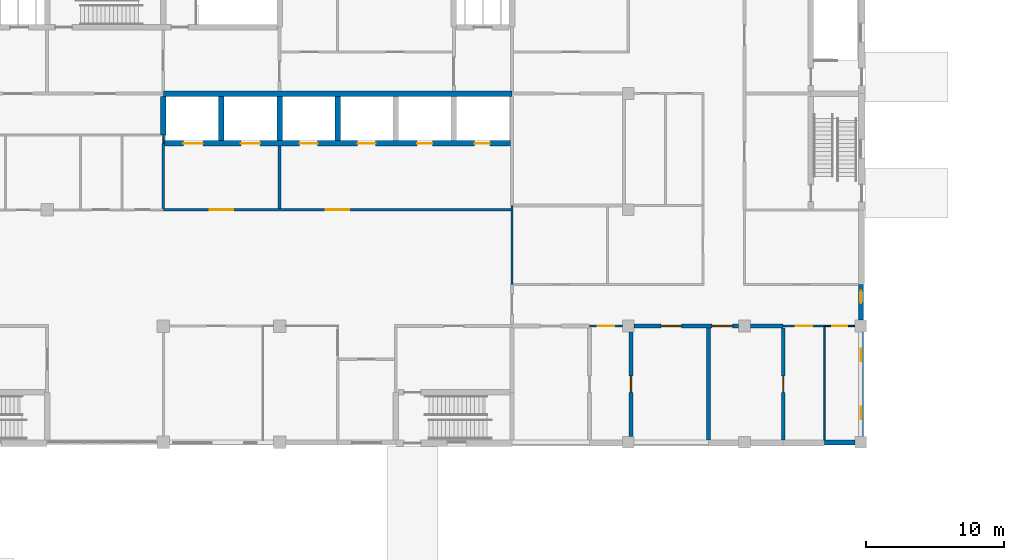
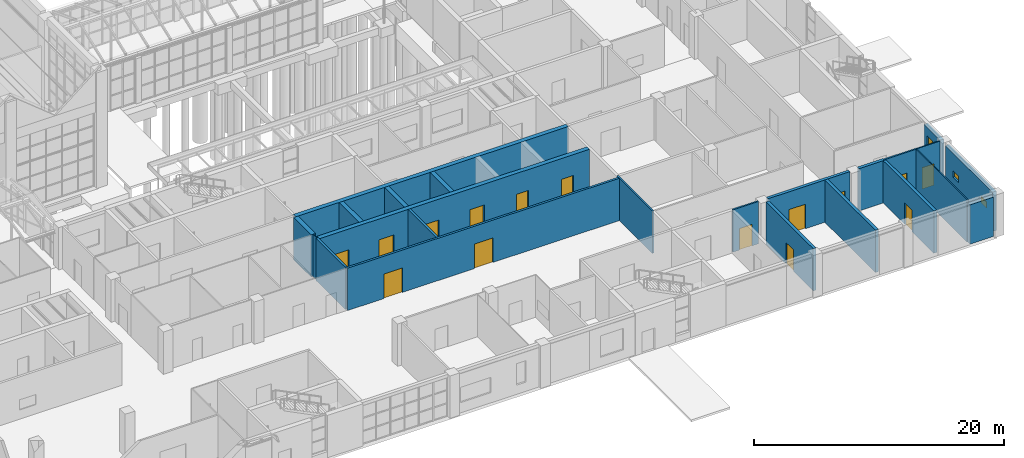
# One storey, part 113 of 138: 23 walls, 15 doors, 3 windows, 18 openings.
"""IFC4 building model written with IfcOpenShell, lengths in metres."""

from ifc_helpers import new_model, si_unit, direction, frame, frame_2d, origin, place, context, subcontext, project, spatial, rectangle, extrude, material, layer, layer_set, type_object, element, fill, save


model = new_model("IFC4")

# Units and contexts
model_context = context("Model", 3, precision=1e-05, world=origin(), true_north=direction((0.0, 1.0)))
body_context = subcontext(model_context, "Body", "Model", "MODEL_VIEW")
ifc_project = project(units=[si_unit("LENGTHUNIT", "METRE"), si_unit("AREAUNIT", "SQUARE_METRE"), si_unit("VOLUMEUNIT", "CUBIC_METRE"), si_unit("PLANEANGLEUNIT", "RADIAN"), si_unit("MASSUNIT", "GRAM", prefix="KILO")], contexts=[model_context])

# Site, building, storey
site_placement = place(None, origin())
site = spatial("IfcSite", under=ifc_project, at=site_placement, CompositionType="ELEMENT")
building_placement = place(site_placement, origin())
building = spatial("IfcBuilding", under=site, at=building_placement, Name="Yavir Park General Hospital", CompositionType="ELEMENT")
storey_placement = place(building_placement, origin())
storey = spatial("IfcBuildingStorey", under=building, at=storey_placement, Name="L00", CompositionType="ELEMENT", Elevation=0.0)

# Wall, openings, doors
ifc_material_1 = material(Name="Double gypsum board fire partition on steel studs", Category="steel")
ifc_layer_1 = layer(ifc_material_1, 0.199951171875)
ifc_layer_set_1 = layer_set([ifc_layer_1], Name="Double gypsum board fire partition on steel studs")
wall_type_1 = type_object("IfcWallType", Name="Fire-rated partition 200, EI 60", PredefinedType="PARTITIONING", material=ifc_layer_set_1)
wall_1_placement = place(storey_placement, frame((117.60009765625, 16.800048828125, 0.0), z_axis=(0.0, 0.0, 1.0), x_axis=(1.0, 0.0, 0.0)))
wall_1 = element("IfcWall", 1, at=wall_1_placement, inside=storey, type_object=wall_type_1, Name="FP20 L00-044", PredefinedType="PARTITIONING", context=body_context, shape_type="SweptSolid", body=[
    extrude(rectangle(XDim=25.125, YDim=0.199951171875, at=frame_2d((12.5625, 0.0))), origin(), (0.0, 0.0, 1.0), 4.139892578125),
])
opening_1_placement = place(wall_1_placement, frame((3.35009765625, 0.0, 0.0)))
opening_1 = element("IfcOpeningElement", 2, at=opening_1_placement, cuts=wall_1, Name="Opening L00.D042", PredefinedType="OPENING", context=body_context, shape_type="SweptSolid", body=[
    extrude(rectangle(XDim=1.699951171875, YDim=2.39990234375, at=frame_2d((0.85009765625, 1.199951171875))), frame((0.0, 0.10986328125, 0.0), z_axis=(0.0, -1.0, 0.0), x_axis=(1.0, 0.0, 0.0)), (0.0, 0.0, 1.0), 0.219970703125),
])
opening_2_placement = place(wall_1_placement, frame((11.75, 0.0, 0.0)))
opening_2 = element("IfcOpeningElement", 3, at=opening_2_placement, cuts=wall_1, Name="Opening L00.D043", PredefinedType="OPENING", context=body_context, shape_type="SweptSolid", body=[
    extrude(rectangle(XDim=1.699951171875, YDim=2.39990234375, at=frame_2d((0.85009765625, 1.199951171875))), frame((0.0, 0.10986328125, 0.0), z_axis=(0.0, -1.0, 0.0), x_axis=(1.0, 0.0, 0.0)), (0.0, 0.0, 1.0), 0.219970703125),
])
ifc_material_2 = material(Name="Steel frame, fire-resisting timber leaves", Category="steel")
door_type_1 = type_object("IfcDoorType", Name="Double fire door 1700 x 2400, EI 60", OperationType="DOUBLE_DOOR_SINGLE_SWING", PredefinedType="DOOR", material=ifc_material_2)
door_1_placement = place(opening_1_placement, origin())
door_1 = element("IfcDoor", 4, at=door_1_placement, inside=storey, type_object=door_type_1, Name="L00.D042", OperationType="SINGLE_SWING_RIGHT", OverallHeight=2.39990234375, OverallWidth=1.699951171875, PredefinedType="DOOR", context=body_context, shape_type="SweptSolid", body=[
    extrude(rectangle(XDim=1.699951171875, YDim=2.39990234375, at=frame_2d((0.85009765625, 1.199951171875))), frame((0.0, 0.02490234375, 0.0), z_axis=(0.0, -1.0, 0.0), x_axis=(1.0, 0.0, 0.0)), (0.0, 0.0, 1.0), 0.050048828125),
])
fill(opening_1, door_1)
door_2_placement = place(opening_2_placement, origin())
door_2 = element("IfcDoor", 5, at=door_2_placement, inside=storey, type_object=door_type_1, Name="L00.D043", OperationType="SINGLE_SWING_RIGHT", OverallHeight=2.39990234375, OverallWidth=1.699951171875, PredefinedType="DOOR", context=body_context, shape_type="SweptSolid", body=[
    extrude(rectangle(XDim=1.699951171875, YDim=2.39990234375, at=frame_2d((0.85009765625, 1.199951171875))), frame((0.0, 0.02490234375, 0.0), z_axis=(0.0, -1.0, 0.0), x_axis=(1.0, 0.0, 0.0)), (0.0, 0.0, 1.0), 0.050048828125),
])
fill(opening_2, door_2)

# Walls
wall_2_placement = place(storey_placement, frame((117.60009765625, 16.89990234375, 0.0), z_axis=(0.0, 0.0, 1.0), x_axis=(0.0, 1.0, 0.0)))
element("IfcWall", 6, at=wall_2_placement, inside=storey, type_object=wall_type_1, Name="FP20 L00-439", PredefinedType="PARTITIONING", context=body_context, shape_type="SweptSolid", body=[
    extrude(rectangle(XDim=4.7001953125, YDim=0.199951171875, at=frame_2d((2.35009765625, 0.0))), origin(), (0.0, 0.0, 1.0), 4.139892578125),
])
wall_3_placement = place(storey_placement, frame((126.0, 16.89990234375, 0.0), z_axis=(0.0, 0.0, 1.0), x_axis=(0.0, 1.0, 0.0)))
element("IfcWall", 7, at=wall_3_placement, inside=storey, type_object=wall_type_1, Name="FP20 L00-446", PredefinedType="PARTITIONING", context=body_context, shape_type="SweptSolid", body=[
    extrude(rectangle(XDim=4.5, YDim=0.199951171875, at=frame_2d((2.25, 0.0))), origin(), (0.0, 0.0, 1.0), 4.139892578125),
])

# Wall, opening, door
ifc_material_3 = material(Name="Gypsum board partition on steel studs", Category="steel")
ifc_layer_2 = layer(ifc_material_3, 0.10009765625)
ifc_layer_set_2 = layer_set([ifc_layer_2], Name="Gypsum board partition on steel studs")
wall_type_2 = type_object("IfcWallType", Name="Gypsum board partition 100", PredefinedType="PARTITIONING", material=ifc_layer_set_2)
wall_4_placement = place(storey_placement, frame((165.39990234375, 8.39990234375, 0.0), z_axis=(0.0, 0.0, 1.0), x_axis=(1.0, 0.0, 0.0)))
wall_4 = element("IfcWall", 8, at=wall_4_placement, inside=storey, type_object=wall_type_2, Name="P10 L00-022", PredefinedType="PARTITIONING", context=body_context, shape_type="SweptSolid", body=[
    extrude(rectangle(XDim=2.175048828125, YDim=0.10009765625, at=frame_2d((1.08740234375, 0.0))), origin(), (0.0, 0.0, 1.0), 4.139892578125),
])
opening_3_placement = place(wall_4_placement, frame((0.53759765625, 0.0, 0.0)))
opening_3 = element("IfcOpeningElement", 9, at=opening_3_placement, cuts=wall_4, Name="Opening L00.D020", PredefinedType="OPENING", context=body_context, shape_type="SweptSolid", body=[
    extrude(rectangle(XDim=1.10009765625, YDim=2.10009765625, at=frame_2d((0.550048828125, 1.050048828125))), frame((0.0, 0.06005859375, 0.0), z_axis=(0.0, -1.0, 0.0), x_axis=(1.0, 0.0, 0.0)), (0.0, 0.0, 1.0), 0.1201171875),
])
ifc_material_4 = material(Name="Hollow metal frame, solid-core timber leaf", Category="wood")
door_type_2 = type_object("IfcDoorType", Name="Single swing door 1100 x 2100", OperationType="SINGLE_SWING_LEFT", PredefinedType="DOOR", material=ifc_material_4)
door_3_placement = place(opening_3_placement, origin())
door_3 = element("IfcDoor", 10, at=door_3_placement, inside=storey, type_object=door_type_2, Name="L00.D020", OperationType="SINGLE_SWING_LEFT", OverallHeight=2.10009765625, OverallWidth=1.10009765625, PredefinedType="DOOR", context=body_context, shape_type="SweptSolid", body=[
    extrude(rectangle(XDim=1.10009765625, YDim=2.10009765625, at=frame_2d((0.550048828125, 1.050048828125))), frame((0.0, 0.02490234375, 0.0), z_axis=(0.0, -1.0, 0.0), x_axis=(1.0, 0.0, 0.0)), (0.0, 0.0, 1.0), 0.050048828125),
])
fill(opening_3, door_3)

# Walls
wall_5_placement = place(storey_placement, frame((117.60009765625, 21.60009765625, 0.0), z_axis=(0.0, 0.0, 1.0), x_axis=(0.0, 1.0, 0.0)))
element("IfcWall", 11, at=wall_5_placement, inside=storey, type_object=wall_type_2, Name="P10 L00-440", PredefinedType="PARTITIONING", context=body_context, shape_type="SweptSolid", body=[
    extrude(rectangle(XDim=0.599853515625, YDim=0.10009765625, at=frame_2d((0.2998046875, 0.0))), origin(), (0.0, 0.0, 1.0), 4.139892578125),
])
wall_6_placement = place(storey_placement, frame((165.39990234375, 0.14990234375, 0.0), z_axis=(0.0, 0.0, 1.0), x_axis=(0.0, 1.0, 0.0)))
element("IfcWall", 12, at=wall_6_placement, inside=storey, type_object=wall_type_2, Name="P10 L00-532", PredefinedType="PARTITIONING", context=body_context, shape_type="SweptSolid", body=[
    extrude(rectangle(XDim=8.175048828125, YDim=0.10009765625, at=frame_2d((4.08740234375, 0.0))), origin(), (0.0, 0.0, 1.0), 4.139892578125),
])

# Wall, opening, door
ifc_material_5 = material(Name="Gypsum board partition on steel studs", Category="steel")
ifc_layer_3 = layer(ifc_material_5, 0.14990234375)
ifc_layer_set_3 = layer_set([ifc_layer_3], Name="Gypsum board partition on steel studs")
wall_type_3 = type_object("IfcWallType", Name="Gypsum board partition 150", PredefinedType="PARTITIONING", material=ifc_layer_set_3)
wall_7_placement = place(storey_placement, frame((148.39990234375, 8.39990234375, 0.0), z_axis=(0.0, 0.0, 1.0), x_axis=(1.0, 0.0, 0.0)))
wall_7 = element("IfcWall", 13, at=wall_7_placement, inside=storey, type_object=wall_type_3, Name="P15 L00-018", PredefinedType="PARTITIONING", context=body_context, shape_type="SweptSolid", body=[
    extrude(rectangle(XDim=2.375, YDim=0.14990234375, at=frame_2d((1.1875, 0.0))), origin(), (0.0, 0.0, 1.0), 4.139892578125),
])
opening_4_placement = place(wall_7_placement, frame((0.58740234375, 0.0, 0.0)))
opening_4 = element("IfcOpeningElement", 14, at=opening_4_placement, cuts=wall_7, Name="Opening L00.D016", PredefinedType="OPENING", context=body_context, shape_type="SweptSolid", body=[
    extrude(rectangle(XDim=1.199951171875, YDim=2.10009765625, at=frame_2d((0.60009765625, 1.050048828125))), frame((0.0, 0.0849609375, 0.0), z_axis=(0.0, -1.0, 0.0), x_axis=(1.0, 0.0, 0.0)), (0.0, 0.0, 1.0), 0.169921875),
])
ifc_material_6 = material(Name="Hollow metal frame, solid-core timber leaf", Category="wood")
door_type_3 = type_object("IfcDoorType", Name="Single swing door 1200 x 2100", OperationType="SINGLE_SWING_LEFT", PredefinedType="DOOR", material=ifc_material_6)
door_4_placement = place(opening_4_placement, origin())
door_4 = element("IfcDoor", 15, at=door_4_placement, inside=storey, type_object=door_type_3, Name="L00.D016", OperationType="SINGLE_SWING_LEFT", OverallHeight=2.10009765625, OverallWidth=1.199951171875, PredefinedType="DOOR", context=body_context, shape_type="SweptSolid", body=[
    extrude(rectangle(XDim=1.199951171875, YDim=2.10009765625, at=frame_2d((0.60009765625, 1.050048828125))), frame((0.0, 0.02490234375, 0.0), z_axis=(0.0, -1.0, 0.0), x_axis=(1.0, 0.0, 0.0)), (0.0, 0.0, 1.0), 0.050048828125),
])
fill(opening_4, door_4)

wall_8_placement = place(storey_placement, frame((162.39990234375, 8.39990234375, 0.0), z_axis=(0.0, 0.0, 1.0), x_axis=(1.0, 0.0, 0.0)))
wall_8 = element("IfcWall", 16, at=wall_8_placement, inside=storey, type_object=wall_type_3, Name="P15 L00-021", PredefinedType="PARTITIONING", context=body_context, shape_type="SweptSolid", body=[
    extrude(rectangle(XDim=3.0, YDim=0.14990234375, at=frame_2d((1.5, 0.0))), origin(), (0.0, 0.0, 1.0), 4.139892578125),
])
opening_5_placement = place(wall_8_placement, frame((0.89990234375, 0.0, 0.0)))
opening_5 = element("IfcOpeningElement", 17, at=opening_5_placement, cuts=wall_8, Name="Opening L00.D019", PredefinedType="OPENING", context=body_context, shape_type="SweptSolid", body=[
    extrude(rectangle(XDim=1.199951171875, YDim=2.10009765625, at=frame_2d((0.60009765625, 1.050048828125))), frame((0.0, 0.0849609375, 0.0), z_axis=(0.0, -1.0, 0.0), x_axis=(1.0, 0.0, 0.0)), (0.0, 0.0, 1.0), 0.169921875),
])
door_5_placement = place(opening_5_placement, origin())
door_5 = element("IfcDoor", 18, at=door_5_placement, inside=storey, type_object=door_type_3, Name="L00.D019", OperationType="SINGLE_SWING_RIGHT", OverallHeight=2.10009765625, OverallWidth=1.199951171875, PredefinedType="DOOR", context=body_context, shape_type="SweptSolid", body=[
    extrude(rectangle(XDim=1.199951171875, YDim=2.10009765625, at=frame_2d((0.60009765625, 1.050048828125))), frame((0.0, 0.02490234375, 0.0), z_axis=(0.0, -1.0, 0.0), x_axis=(1.0, 0.0, 0.0)), (0.0, 0.0, 1.0), 0.050048828125),
])
fill(opening_5, door_5)

# Wall
ifc_material_7 = material(Name="Lead-lined gypsum board shielding partition")
ifc_layer_4 = layer(ifc_material_7, 0.14990234375)
ifc_layer_set_4 = layer_set([ifc_layer_4], Name="Lead-lined gypsum board shielding partition")
wall_type_4 = type_object("IfcWallType", Name="Lead-lined shielding partition 150, EI 60", PredefinedType="PARTITIONING", material=ifc_layer_set_4)
wall_9_placement = place(storey_placement, frame((142.800048828125, 11.39990234375, 0.0), z_axis=(0.0, 0.0, 1.0), x_axis=(0.0, 1.0, 0.0)))
element("IfcWall", 19, at=wall_9_placement, inside=storey, type_object=wall_type_4, Name="LL150 L00-463", PredefinedType="PARTITIONING", context=body_context, shape_type="SweptSolid", body=[
    extrude(rectangle(XDim=5.7001953125, YDim=0.14990234375, at=frame_2d((2.85009765625, 0.0))), origin(), (0.0, 0.0, 1.0), 4.139892578125),
])

# Wall, openings, doors
ifc_material_8 = material(Name="Lead-lined block wall, 3 mm lead sheet, RF-sealed")
ifc_layer_5 = layer(ifc_material_8, 0.27490234375)
ifc_layer_set_5 = layer_set([ifc_layer_5], Name="Lead-lined block wall, 3 mm lead sheet, RF-sealed")
wall_type_5 = type_object("IfcWallType", Name="Lead-lined shielding wall 275, EI 60", PredefinedType="SOLIDWALL", material=ifc_layer_set_5)
wall_10_placement = place(storey_placement, frame((151.625, 8.39990234375, 0.0), z_axis=(0.0, 0.0, 1.0), x_axis=(1.0, 0.0, 0.0)))
wall_10 = element("IfcWall", 20, at=wall_10_placement, inside=storey, type_object=wall_type_5, Name="LC275 L00-019", PredefinedType="SOLIDWALL", context=body_context, shape_type="SweptSolid", body=[
    extrude(rectangle(XDim=7.550048828125, YDim=0.27490234375, at=frame_2d((3.77490234375, 0.0))), origin(), (0.0, 0.0, 1.0), 4.139892578125),
])
opening_6_placement = place(wall_10_placement, frame((1.9375, 0.0, 0.0)))
opening_6 = element("IfcOpeningElement", 21, at=opening_6_placement, cuts=wall_10, Name="Opening L00.D017", PredefinedType="OPENING", context=body_context, shape_type="SweptSolid", body=[
    extrude(rectangle(XDim=1.5, YDim=2.39990234375, at=frame_2d((0.75, 1.199951171875))), frame((0.0, 0.1474609375, 0.0), z_axis=(0.0, -1.0, 0.0), x_axis=(1.0, 0.0, 0.0)), (0.0, 0.0, 1.0), 0.294921875),
])
opening_7_placement = place(wall_10_placement, frame((5.612548828125, 0.0, 0.0)))
opening_7 = element("IfcOpeningElement", 22, at=opening_7_placement, cuts=wall_10, Name="Opening L00.D018", PredefinedType="OPENING", context=body_context, shape_type="SweptSolid", body=[
    extrude(rectangle(XDim=1.5, YDim=2.39990234375, at=frame_2d((0.75, 1.199951171875))), frame((0.0, 0.1474609375, 0.0), z_axis=(0.0, -1.0, 0.0), x_axis=(1.0, 0.0, 0.0)), (0.0, 0.0, 1.0), 0.294921875),
])
ifc_material_9 = material(Name="Lead-lined steel leaves, 3 mm lead, RF-sealed frame", Category="steel")
door_type_4 = type_object("IfcDoorType", Name="Lead-lined scanner room door 1500 x 2400, EI 60", OperationType="DOUBLE_DOOR_SINGLE_SWING", PredefinedType="DOOR", material=ifc_material_9)
door_6_placement = place(opening_6_placement, origin())
door_6 = element("IfcDoor", 23, at=door_6_placement, inside=storey, type_object=door_type_4, Name="L00.D017", OperationType="SINGLE_SWING_RIGHT", OverallHeight=2.39990234375, OverallWidth=1.5, PredefinedType="DOOR", context=body_context, shape_type="SweptSolid", body=[
    extrude(rectangle(XDim=1.5, YDim=2.39990234375, at=frame_2d((0.75, 1.199951171875))), frame((0.0, 0.044921875, 0.0), z_axis=(0.0, -1.0, 0.0), x_axis=(1.0, 0.0, 0.0)), (0.0, 0.0, 1.0), 0.090087890625),
])
fill(opening_6, door_6)
door_7_placement = place(opening_7_placement, origin())
door_7 = element("IfcDoor", 24, at=door_7_placement, inside=storey, type_object=door_type_4, Name="L00.D018", OperationType="SINGLE_SWING_LEFT", OverallHeight=2.39990234375, OverallWidth=1.5, PredefinedType="DOOR", context=body_context, shape_type="SweptSolid", body=[
    extrude(rectangle(XDim=1.5, YDim=2.39990234375, at=frame_2d((0.75, 1.199951171875))), frame((0.0, 0.044921875, 0.0), z_axis=(0.0, -1.0, 0.0), x_axis=(1.0, 0.0, 0.0)), (0.0, 0.0, 1.0), 0.090087890625),
])
fill(opening_7, door_7)

# Wall
wall_11_placement = place(storey_placement, frame((160.02490234375, 8.39990234375, 0.0), z_axis=(0.0, 0.0, 1.0), x_axis=(1.0, 0.0, 0.0)))
element("IfcWall", 25, at=wall_11_placement, inside=storey, type_object=wall_type_5, Name="LC275 L00-020", PredefinedType="SOLIDWALL", context=body_context, shape_type="SweptSolid", body=[
    extrude(rectangle(XDim=2.375, YDim=0.27490234375, at=frame_2d((1.1875, 0.0))), origin(), (0.0, 0.0, 1.0), 4.139892578125),
])

# Wall, opening, door
wall_12_placement = place(storey_placement, frame((151.39990234375, 0.425048828125, 0.0), z_axis=(0.0, 0.0, 1.0), x_axis=(0.0, 1.0, 0.0)))
wall_12 = element("IfcWall", 26, at=wall_12_placement, inside=storey, type_object=wall_type_5, Name="LC275 L00-495", PredefinedType="SOLIDWALL", context=body_context, shape_type="SweptSolid", body=[
    extrude(rectangle(XDim=7.550048828125, YDim=0.27490234375, at=frame_2d((3.77490234375, 0.0))), origin(), (0.0, 0.0, 1.0), 4.139892578125),
])
opening_8_placement = place(wall_12_placement, frame((3.175048828125, 0.0, 0.0)))
opening_8 = element("IfcOpeningElement", 27, at=opening_8_placement, cuts=wall_12, Name="Opening L00.D230", PredefinedType="OPENING", context=body_context, shape_type="SweptSolid", body=[
    extrude(rectangle(XDim=1.199951171875, YDim=2.10009765625, at=frame_2d((0.60009765625, 1.050048828125))), frame((0.0, 0.1474609375, 0.0), z_axis=(0.0, -1.0, 0.0), x_axis=(1.0, 0.0, 0.0)), (0.0, 0.0, 1.0), 0.294921875),
])
ifc_material_10 = material(Name="Lead-lined steel door leaf, 2.5 mm lead", Category="steel")
door_type_5 = type_object("IfcDoorType", Name="Lead-lined door 1200 x 2100, EI 60", OperationType="SINGLE_SWING_LEFT", PredefinedType="DOOR", material=ifc_material_10)
door_8_placement = place(opening_8_placement, origin())
door_8 = element("IfcDoor", 28, at=door_8_placement, inside=storey, type_object=door_type_5, Name="L00.D230", OperationType="SINGLE_SWING_LEFT", OverallHeight=2.10009765625, OverallWidth=1.199951171875, PredefinedType="DOOR", context=body_context, shape_type="SweptSolid", body=[
    extrude(rectangle(XDim=1.199951171875, YDim=2.10009765625, at=frame_2d((0.60009765625, 1.050048828125))), frame((0.0, 0.0400390625, 0.0), z_axis=(0.0, -1.0, 0.0), x_axis=(1.0, 0.0, 0.0)), (0.0, 0.0, 1.0), 0.080078125),
])
fill(opening_8, door_8)

# Wall
wall_13_placement = place(storey_placement, frame((157.0, 0.14990234375, 0.0), z_axis=(0.0, 0.0, 1.0), x_axis=(0.0, 1.0, 0.0)))
element("IfcWall", 29, at=wall_13_placement, inside=storey, type_object=wall_type_5, Name="LC275 L00-499", PredefinedType="SOLIDWALL", context=body_context, shape_type="SweptSolid", body=[
    extrude(rectangle(XDim=8.112548828125, YDim=0.27490234375, at=frame_2d((4.05615234375, 0.0))), origin(), (0.0, 0.0, 1.0), 4.139892578125),
])

# Wall, opening, door
wall_14_placement = place(storey_placement, frame((162.39990234375, 0.14990234375, 0.0), z_axis=(0.0, 0.0, 1.0), x_axis=(0.0, 1.0, 0.0)))
wall_14 = element("IfcWall", 30, at=wall_14_placement, inside=storey, type_object=wall_type_5, Name="LC275 L00-526", PredefinedType="SOLIDWALL", context=body_context, shape_type="SweptSolid", body=[
    extrude(rectangle(XDim=8.112548828125, YDim=0.27490234375, at=frame_2d((4.05615234375, 0.0))), origin(), (0.0, 0.0, 1.0), 4.139892578125),
])
opening_9_placement = place(wall_14_placement, frame((3.456298828125, 0.0, 0.0)))
opening_9 = element("IfcOpeningElement", 31, at=opening_9_placement, cuts=wall_14, Name="Opening L00.D247", PredefinedType="OPENING", context=body_context, shape_type="SweptSolid", body=[
    extrude(rectangle(XDim=1.199951171875, YDim=2.10009765625, at=frame_2d((0.60009765625, 1.050048828125))), frame((0.0, 0.1474609375, 0.0), z_axis=(0.0, -1.0, 0.0), x_axis=(1.0, 0.0, 0.0)), (0.0, 0.0, 1.0), 0.294921875),
])
door_9_placement = place(opening_9_placement, origin())
door_9 = element("IfcDoor", 32, at=door_9_placement, inside=storey, type_object=door_type_5, Name="L00.D247", OperationType="SINGLE_SWING_RIGHT", OverallHeight=2.10009765625, OverallWidth=1.199951171875, PredefinedType="DOOR", context=body_context, shape_type="SweptSolid", body=[
    extrude(rectangle(XDim=1.199951171875, YDim=2.10009765625, at=frame_2d((0.60009765625, 1.050048828125))), frame((0.0, 0.0400390625, 0.0), z_axis=(0.0, -1.0, 0.0), x_axis=(1.0, 0.0, 0.0)), (0.0, 0.0, 1.0), 0.080078125),
])
fill(opening_9, door_9)

# Wall
ifc_material_11 = material(Name="Concrete C30/37 precast panel with 120 mm mineral wool insulation", Category="concrete")
ifc_layer_6 = layer(ifc_material_11, 0.35009765625)
ifc_layer_set_6 = layer_set([ifc_layer_6], Name="Concrete C30/37 precast panel with 120 mm mineral wool insulation")
wall_type_6 = type_object("IfcWallType", Name="Precast cladding panel podium wall 350, E 30", PredefinedType="SOLIDWALL", material=ifc_layer_set_6)
wall_15_placement = place(storey_placement, frame((165.39990234375, -0.02490234375, 0.0), z_axis=(0.0, 0.0, 1.0), x_axis=(1.0, 0.0, 0.0)))
element("IfcWall", 33, at=wall_15_placement, inside=storey, type_object=wall_type_6, Name="XW2 L00-031", PredefinedType="SOLIDWALL", context=body_context, shape_type="SweptSolid", body=[
    extrude(rectangle(XDim=2.175048828125, YDim=0.35009765625, at=frame_2d((1.08740234375, 0.0))), origin(), (0.0, 0.0, 1.0), 3.840087890625),
])

# Wall, openings, windows
wall_16_placement = place(storey_placement, frame((168.02490234375, 0.425048828125, 0.0), z_axis=(0.0, 0.0, 1.0), x_axis=(0.0, 1.0, 0.0)))
wall_16 = element("IfcWall", 34, at=wall_16_placement, inside=storey, type_object=wall_type_6, Name="XW2 L00-171", PredefinedType="SOLIDWALL", context=body_context, shape_type="SweptSolid", body=[
    extrude(rectangle(XDim=7.550048828125, YDim=0.35009765625, at=frame_2d((3.77490234375, 0.0))), origin(), (0.0, 0.0, 1.0), 3.840087890625),
])
opening_10_placement = place(wall_16_placement, frame((1.22509765625, 0.0, 1.5)))
opening_10 = element("IfcOpeningElement", 35, at=opening_10_placement, cuts=wall_16, Name="Opening WE", PredefinedType="OPENING", context=body_context, shape_type="SweptSolid", body=[
    extrude(rectangle(XDim=0.89990234375, YDim=0.60009765625, at=frame_2d((0.449951171875, 0.300048828125))), frame((0.0, 0.18505859375, 0.0), z_axis=(0.0, -1.0, 0.0), x_axis=(1.0, 0.0, 0.0)), (0.0, 0.0, 1.0), 0.3701171875),
])
opening_11_placement = place(wall_16_placement, frame((5.425048828125, 0.0, 1.5)))
opening_11 = element("IfcOpeningElement", 36, at=opening_11_placement, cuts=wall_16, Name="Opening WE", PredefinedType="OPENING", context=body_context, shape_type="SweptSolid", body=[
    extrude(rectangle(XDim=0.89990234375, YDim=0.60009765625, at=frame_2d((0.449951171875, 0.300048828125))), frame((0.0, 0.18505859375, 0.0), z_axis=(0.0, -1.0, 0.0), x_axis=(1.0, 0.0, 0.0)), (0.0, 0.0, 1.0), 0.3701171875),
])
ifc_material_12 = material(Name="Aluminium frame, obscured glazed unit", Category="aluminium")
window_type_1 = type_object("IfcWindowType", Name="Toilet window 900 x 600", PartitioningType="SINGLE_PANEL", PredefinedType="WINDOW", material=ifc_material_12)
window_1_placement = place(opening_10_placement, origin())
window_1 = element("IfcWindow", 37, at=window_1_placement, inside=storey, type_object=window_type_1, Name="WE L00-075", OverallHeight=0.60009765625, OverallWidth=0.89990234375, PartitioningType="SINGLE_PANEL", PredefinedType="WINDOW", context=body_context, shape_type="SweptSolid", body=[
    extrude(rectangle(XDim=0.89990234375, YDim=0.60009765625, at=frame_2d((0.449951171875, 0.300048828125))), frame((0.0, 0.030029296875, 0.0), z_axis=(0.0, -1.0, 0.0), x_axis=(1.0, 0.0, 0.0)), (0.0, 0.0, 1.0), 0.06005859375),
])
fill(opening_10, window_1)
window_2_placement = place(opening_11_placement, origin())
window_2 = element("IfcWindow", 38, at=window_2_placement, inside=storey, type_object=window_type_1, Name="WE L00-076", OverallHeight=0.60009765625, OverallWidth=0.89990234375, PartitioningType="SINGLE_PANEL", PredefinedType="WINDOW", context=body_context, shape_type="SweptSolid", body=[
    extrude(rectangle(XDim=0.89990234375, YDim=0.60009765625, at=frame_2d((0.449951171875, 0.300048828125))), frame((0.0, 0.030029296875, 0.0), z_axis=(0.0, -1.0, 0.0), x_axis=(1.0, 0.0, 0.0)), (0.0, 0.0, 1.0), 0.06005859375),
])
fill(opening_11, window_2)

# Wall, opening, window
wall_17_placement = place(storey_placement, frame((168.02490234375, 8.824951171875, 0.0), z_axis=(0.0, 0.0, 1.0), x_axis=(0.0, 1.0, 0.0)))
wall_17 = element("IfcWall", 39, at=wall_17_placement, inside=storey, type_object=wall_type_6, Name="XW2 L00-172", PredefinedType="SOLIDWALL", context=body_context, shape_type="SweptSolid", body=[
    extrude(rectangle(XDim=2.574951171875, YDim=0.35009765625, at=frame_2d((1.28759765625, 0.0))), origin(), (0.0, 0.0, 1.0), 3.840087890625),
])
opening_12_placement = place(wall_17_placement, frame((1.22509765625, 0.0, 0.89990234375)))
opening_12 = element("IfcOpeningElement", 40, at=opening_12_placement, cuts=wall_17, Name="Opening WH2", PredefinedType="OPENING", context=body_context, shape_type="SweptSolid", body=[
    extrude(rectangle(XDim=0.89990234375, YDim=2.10009765625, at=frame_2d((0.449951171875, 1.050048828125))), frame((0.0, 0.18505859375, 0.0), z_axis=(0.0, -1.0, 0.0), x_axis=(1.0, 0.0, 0.0)), (0.0, 0.0, 1.0), 0.3701171875),
])
ifc_material_13 = material(Name="Aluminium frame, double glazed unit", Category="aluminium")
window_type_2 = type_object("IfcWindowType", Name="Tall narrow window 900 x 2100", PartitioningType="SINGLE_PANEL", PredefinedType="WINDOW", material=ifc_material_13)
window_3_placement = place(opening_12_placement, origin())
window_3 = element("IfcWindow", 41, at=window_3_placement, inside=storey, type_object=window_type_2, Name="WH2 L00-077", OverallHeight=2.10009765625, OverallWidth=0.89990234375, PartitioningType="SINGLE_PANEL", PredefinedType="WINDOW", context=body_context, shape_type="SweptSolid", body=[
    extrude(rectangle(XDim=0.89990234375, YDim=2.10009765625, at=frame_2d((0.449951171875, 1.050048828125))), frame((0.0, 0.030029296875, 0.0), z_axis=(0.0, -1.0, 0.0), x_axis=(1.0, 0.0, 0.0)), (0.0, 0.0, 1.0), 0.06005859375),
])
fill(opening_12, window_3)

# Wall, openings, doors
ifc_material_14 = material(Name="Concrete C35/45", Category="concrete")
ifc_layer_7 = layer(ifc_material_14, 0.39990234375)
ifc_layer_set_7 = layer_set([ifc_layer_7], Name="Concrete C35/45")
wall_type_7 = type_object("IfcWallType", Name="Reinforced concrete core wall 400, REI 150", PredefinedType="SHEAR", material=ifc_layer_set_7)
wall_18_placement = place(storey_placement, frame((117.699951171875, 21.60009765625, 0.0), z_axis=(0.0, 0.0, 1.0), x_axis=(1.0, 0.0, 0.0)))
wall_18 = element("IfcWall", 42, at=wall_18_placement, inside=storey, type_object=wall_type_7, Name="CW40 L00-051", PredefinedType="SHEAR", context=body_context, shape_type="SweptSolid", body=[
    extrude(rectangle(XDim=24.987548828125, YDim=0.39990234375, at=frame_2d((12.49365234375, 0.0))), origin(), (0.0, 0.0, 1.0), 4.139892578125),
])
opening_13_placement = place(wall_18_placement, frame((1.35009765625, 0.0, 0.0)))
opening_13 = element("IfcOpeningElement", 43, at=opening_13_placement, cuts=wall_18, Name="Opening L00.D052", PredefinedType="OPENING", context=body_context, shape_type="SweptSolid", body=[
    extrude(rectangle(XDim=1.39990234375, YDim=2.10009765625, at=frame_2d((0.699951171875, 1.050048828125))), frame((0.0, 0.2099609375, 0.0), z_axis=(0.0, -1.0, 0.0), x_axis=(1.0, 0.0, 0.0)), (0.0, 0.0, 1.0), 0.419921875),
])
opening_14_placement = place(wall_18_placement, frame((5.5, 0.0, 0.0)))
opening_14 = element("IfcOpeningElement", 44, at=opening_14_placement, cuts=wall_18, Name="Opening L00.D053", PredefinedType="OPENING", context=body_context, shape_type="SweptSolid", body=[
    extrude(rectangle(XDim=1.39990234375, YDim=2.10009765625, at=frame_2d((0.699951171875, 1.050048828125))), frame((0.0, 0.2099609375, 0.0), z_axis=(0.0, -1.0, 0.0), x_axis=(1.0, 0.0, 0.0)), (0.0, 0.0, 1.0), 0.419921875),
])
opening_15_placement = place(wall_18_placement, frame((9.75, 0.0, 0.0)))
opening_15 = element("IfcOpeningElement", 45, at=opening_15_placement, cuts=wall_18, Name="Opening L00.D054", PredefinedType="OPENING", context=body_context, shape_type="SweptSolid", body=[
    extrude(rectangle(XDim=1.300048828125, YDim=2.10009765625, at=frame_2d((0.64990234375, 1.050048828125))), frame((0.0, 0.2099609375, 0.0), z_axis=(0.0, -1.0, 0.0), x_axis=(1.0, 0.0, 0.0)), (0.0, 0.0, 1.0), 0.419921875),
])
opening_16_placement = place(wall_18_placement, frame((13.949951171875, 0.0, 0.0)))
opening_16 = element("IfcOpeningElement", 46, at=opening_16_placement, cuts=wall_18, Name="Opening L00.D055", PredefinedType="OPENING", context=body_context, shape_type="SweptSolid", body=[
    extrude(rectangle(XDim=1.300048828125, YDim=2.10009765625, at=frame_2d((0.64990234375, 1.050048828125))), frame((0.0, 0.2099609375, 0.0), z_axis=(0.0, -1.0, 0.0), x_axis=(1.0, 0.0, 0.0)), (0.0, 0.0, 1.0), 0.419921875),
])
opening_17_placement = place(wall_18_placement, frame((18.25, 0.0, 0.0)))
opening_17 = element("IfcOpeningElement", 47, at=opening_17_placement, cuts=wall_18, Name="Opening L00.D056", PredefinedType="OPENING", context=body_context, shape_type="SweptSolid", body=[
    extrude(rectangle(XDim=1.10009765625, YDim=2.10009765625, at=frame_2d((0.550048828125, 1.050048828125))), frame((0.0, 0.2099609375, 0.0), z_axis=(0.0, -1.0, 0.0), x_axis=(1.0, 0.0, 0.0)), (0.0, 0.0, 1.0), 0.419921875),
])
opening_18_placement = place(wall_18_placement, frame((22.393798828125, 0.0, 0.0)))
opening_18 = element("IfcOpeningElement", 48, at=opening_18_placement, cuts=wall_18, Name="Opening L00.D057", PredefinedType="OPENING", context=body_context, shape_type="SweptSolid", body=[
    extrude(rectangle(XDim=1.10009765625, YDim=2.10009765625, at=frame_2d((0.550048828125, 1.050048828125))), frame((0.0, 0.2099609375, 0.0), z_axis=(0.0, -1.0, 0.0), x_axis=(1.0, 0.0, 0.0)), (0.0, 0.0, 1.0), 0.419921875),
])
ifc_material_15 = material(Name="Stainless steel landing door panels", Category="steel")
door_type_6 = type_object("IfcDoorType", Name="Lift landing door 1100 x 2100, EI 60", OperationType="SLIDING_TO_LEFT", PredefinedType="DOOR", material=ifc_material_15)
door_10_placement = place(opening_17_placement, origin())
door_10 = element("IfcDoor", 49, at=door_10_placement, inside=storey, type_object=door_type_6, Name="L00.D056", OperationType="SLIDING_TO_LEFT", OverallHeight=2.10009765625, OverallWidth=1.10009765625, PredefinedType="DOOR", context=body_context, shape_type="SweptSolid", body=[
    extrude(rectangle(XDim=1.10009765625, YDim=2.10009765625, at=frame_2d((0.550048828125, 1.050048828125))), frame((0.0, 0.02490234375, 0.0), z_axis=(0.0, -1.0, 0.0), x_axis=(1.0, 0.0, 0.0)), (0.0, 0.0, 1.0), 0.050048828125),
])
fill(opening_17, door_10)
door_11_placement = place(opening_18_placement, origin())
door_11 = element("IfcDoor", 50, at=door_11_placement, inside=storey, type_object=door_type_6, Name="L00.D057", OperationType="SLIDING_TO_LEFT", OverallHeight=2.10009765625, OverallWidth=1.10009765625, PredefinedType="DOOR", context=body_context, shape_type="SweptSolid", body=[
    extrude(rectangle(XDim=1.10009765625, YDim=2.10009765625, at=frame_2d((0.550048828125, 1.050048828125))), frame((0.0, 0.02490234375, 0.0), z_axis=(0.0, -1.0, 0.0), x_axis=(1.0, 0.0, 0.0)), (0.0, 0.0, 1.0), 0.050048828125),
])
fill(opening_18, door_11)
ifc_material_16 = material(Name="Stainless steel landing door panels", Category="steel")
door_type_7 = type_object("IfcDoorType", Name="Lift landing door 1300 x 2100, EI 60", OperationType="SLIDING_TO_LEFT", PredefinedType="DOOR", material=ifc_material_16)
door_12_placement = place(opening_15_placement, origin())
door_12 = element("IfcDoor", 51, at=door_12_placement, inside=storey, type_object=door_type_7, Name="L00.D054", OperationType="SLIDING_TO_LEFT", OverallHeight=2.10009765625, OverallWidth=1.300048828125, PredefinedType="DOOR", context=body_context, shape_type="SweptSolid", body=[
    extrude(rectangle(XDim=1.300048828125, YDim=2.10009765625, at=frame_2d((0.64990234375, 1.050048828125))), frame((0.0, 0.02490234375, 0.0), z_axis=(0.0, -1.0, 0.0), x_axis=(1.0, 0.0, 0.0)), (0.0, 0.0, 1.0), 0.050048828125),
])
fill(opening_15, door_12)
door_13_placement = place(opening_16_placement, origin())
door_13 = element("IfcDoor", 52, at=door_13_placement, inside=storey, type_object=door_type_7, Name="L00.D055", OperationType="SLIDING_TO_LEFT", OverallHeight=2.10009765625, OverallWidth=1.300048828125, PredefinedType="DOOR", context=body_context, shape_type="SweptSolid", body=[
    extrude(rectangle(XDim=1.300048828125, YDim=2.10009765625, at=frame_2d((0.64990234375, 1.050048828125))), frame((0.0, 0.02490234375, 0.0), z_axis=(0.0, -1.0, 0.0), x_axis=(1.0, 0.0, 0.0)), (0.0, 0.0, 1.0), 0.050048828125),
])
fill(opening_16, door_13)
ifc_material_17 = material(Name="Stainless steel landing door panels", Category="steel")
door_type_8 = type_object("IfcDoorType", Name="Lift landing door 1400 x 2100, EI 60", OperationType="SLIDING_TO_LEFT", PredefinedType="DOOR", material=ifc_material_17)
door_14_placement = place(opening_13_placement, origin())
door_14 = element("IfcDoor", 53, at=door_14_placement, inside=storey, type_object=door_type_8, Name="L00.D052", OperationType="SLIDING_TO_LEFT", OverallHeight=2.10009765625, OverallWidth=1.39990234375, PredefinedType="DOOR", context=body_context, shape_type="SweptSolid", body=[
    extrude(rectangle(XDim=1.39990234375, YDim=2.10009765625, at=frame_2d((0.699951171875, 1.050048828125))), frame((0.0, 0.02490234375, 0.0), z_axis=(0.0, -1.0, 0.0), x_axis=(1.0, 0.0, 0.0)), (0.0, 0.0, 1.0), 0.050048828125),
])
fill(opening_13, door_14)
door_15_placement = place(opening_14_placement, origin())
door_15 = element("IfcDoor", 54, at=door_15_placement, inside=storey, type_object=door_type_8, Name="L00.D053", OperationType="SLIDING_TO_LEFT", OverallHeight=2.10009765625, OverallWidth=1.39990234375, PredefinedType="DOOR", context=body_context, shape_type="SweptSolid", body=[
    extrude(rectangle(XDim=1.39990234375, YDim=2.10009765625, at=frame_2d((0.699951171875, 1.050048828125))), frame((0.0, 0.02490234375, 0.0), z_axis=(0.0, -1.0, 0.0), x_axis=(1.0, 0.0, 0.0)), (0.0, 0.0, 1.0), 0.050048828125),
])
fill(opening_14, door_15)

# Walls
wall_19_placement = place(storey_placement, frame((117.60009765625, 25.199951171875, 0.0), z_axis=(0.0, 0.0, 1.0), x_axis=(1.0, 0.0, 0.0)))
element("IfcWall", 55, at=wall_19_placement, inside=storey, type_object=wall_type_7, Name="CW40 L00-070", PredefinedType="SHEAR", context=body_context, shape_type="SweptSolid", body=[
    extrude(rectangle(XDim=25.199951171875, YDim=0.39990234375, at=frame_2d((12.60009765625, 0.0))), origin(), (0.0, 0.0, 1.0), 4.139892578125),
])
wall_20_placement = place(storey_placement, frame((117.60009765625, 22.199951171875, 0.0), z_axis=(0.0, 0.0, 1.0), x_axis=(0.0, 1.0, 0.0)))
element("IfcWall", 56, at=wall_20_placement, inside=storey, type_object=wall_type_7, Name="CW40 L00-441", PredefinedType="SHEAR", context=body_context, shape_type="SweptSolid", body=[
    extrude(rectangle(XDim=2.800048828125, YDim=0.39990234375, at=frame_2d((1.39990234375, 0.0))), origin(), (0.0, 0.0, 1.0), 4.139892578125),
])
for number, where, z_axis, x_axis, name in (
    (57, (121.800048828125, 21.800048828125, 0.0), (0.0, 0.0, 1.0), (0.0, 1.0, 0.0), "CW40 L00-444"),
    (58, (126.0, 21.800048828125, 0.0), (0.0, 0.0, 1.0), (0.0, 1.0, 0.0), "CW40 L00-447"),
    (59, (130.199951171875, 21.800048828125, 0.0), (0.0, 0.0, 1.0), (0.0, 1.0, 0.0), "CW40 L00-452"),
):
    element("IfcWall", number, at=place(storey_placement, frame(where, z_axis=z_axis, x_axis=x_axis)), inside=storey, type_object=wall_type_7, Name=name, PredefinedType="SHEAR", context=body_context, shape_type="SweptSolid", body=[
        extrude(rectangle(XDim=3.199951171875, YDim=0.39990234375, at=frame_2d((1.60009765625, 0.0))), origin(), (0.0, 0.0, 1.0), 4.139892578125),
    ])

save(model, "model.ifc")
